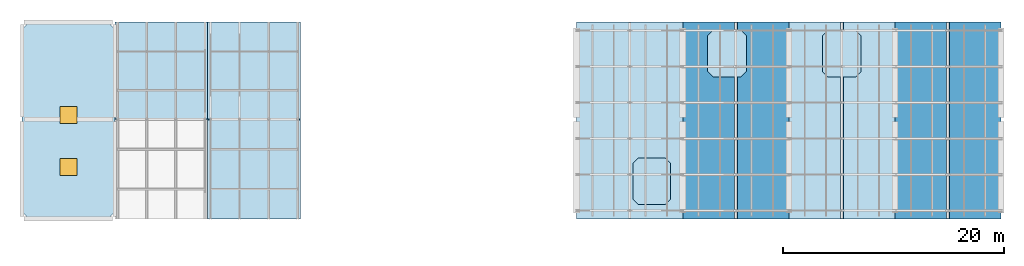
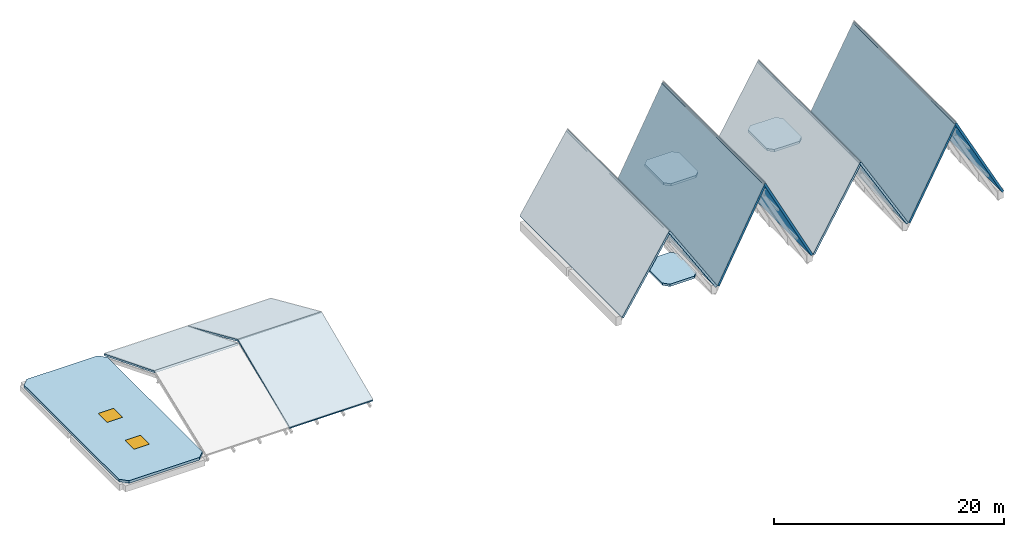
# One storey, part 2 of 3: 15 slabs, 2 windows, 2 openings, 6 elements without a shape of their own.
"""IFC4 building model written with IfcOpenShell, lengths in metres."""

from ifc_helpers import new_model, si_unit, direction, frame, origin, origin_2d, place, context, subcontext, project, spatial, polyline, rectangle, outline, extrude, material, layer, layer_set, type_object, element, fill, aggregate, save


model = new_model("IFC4")

# Units and contexts
model_context = context("Model", 3, precision=1e-05, world=origin(), true_north=direction((0.0, 1.0)))
body_context = subcontext(model_context, "Body", "Model", "MODEL_VIEW")
ifc_project = project(units=[si_unit("LENGTHUNIT", "METRE"), si_unit("AREAUNIT", "SQUARE_METRE"), si_unit("VOLUMEUNIT", "CUBIC_METRE"), si_unit("PLANEANGLEUNIT", "RADIAN"), si_unit("MASSUNIT", "GRAM", prefix="KILO")], contexts=[model_context])

# Site, building, storey
site_placement = place(None, origin())
site = spatial("IfcSite", under=ifc_project, at=site_placement, CompositionType="ELEMENT")
building_placement = place(site_placement, origin())
building = spatial("IfcBuilding", under=site, at=building_placement, Name="Birchvale Park Specialist Clinic", CompositionType="ELEMENT")
storey_placement = place(building_placement, frame((0.0, 0.0, 26.39990234375)))
storey = spatial("IfcBuildingStorey", under=building, at=storey_placement, Name="L06", CompositionType="ELEMENT", Elevation=26.39990234375)

# Roof, slabs
ifc_material_1 = material(Name="Standing-seam titanium-zinc roofing")
roof_type = type_object("IfcRoofType", Name="ROOF-GBL1", PredefinedType="GABLE_ROOF", material=ifc_material_1)
roof_1_placement = place(storey_placement, origin())
roof_1 = element("IfcRoof", 1, at=roof_1_placement, inside=storey, type_object=roof_type, Name="L06 house-shaped gable roof V4-B2", PredefinedType="GABLE_ROOF")
ifc_material_2 = material(Name="Concrete C35/45", Category="concrete")
ifc_layer_1 = layer(ifc_material_2, 0.2099609375)
ifc_layer_set_1 = layer_set([ifc_layer_1], Name="Concrete C35/45")
slab_type_1 = type_object("IfcSlabType", Name="SLB-RS1", PredefinedType="ROOF", material=ifc_layer_set_1)
slab_1_placement = place(storey_placement, frame((61.39990234375, 16.800048828125, 0.0), z_axis=(-0.845484339743, 0.0, 0.534000216525), x_axis=(0.534000216525, 0.0, 0.845484339743)))
slab_1 = element("IfcSlab", 2, at=slab_1_placement, type_object=slab_type_1, Name="L06 gable roof deck V4-B2 W", PredefinedType="ROOF", context=body_context, shape_type="SweptSolid", body=[
    extrude(outline(polyline([(0.0, 0.0), (8.899242207326541, 0.0), (8.899242207326541, 17.800048828125), (0.0, 17.800048828125), (0.0, 0.0)])), origin(), (0.0, 0.0, -1.0), 0.2099609375),
])
slab_2_placement = place(storey_placement, frame((66.248046875, 16.800048828125, 7.524169921875), z_axis=(0.845496725781, 0.0, 0.533980605166), x_axis=(0.533980605166, 0.0, -0.845496725781)))
slab_2 = element("IfcSlab", 3, at=slab_2_placement, type_object=slab_type_1, Name="L06 gable roof deck V4-B2 E", PredefinedType="ROOF", context=body_context, shape_type="SweptSolid", body=[
    extrude(outline(polyline([(0.0, 0.0), (8.899111838573877, 0.0), (8.899111838573877, 17.800048828125004), (0.0, 17.800048828125004), (0.0, 0.0)])), origin(), (0.0, 0.0, -1.0), 0.2099609375),
])
aggregate(roof_1, [slab_1, slab_2])

roof_2_placement = place(storey_placement, origin())
roof_2 = element("IfcRoof", 4, at=roof_2_placement, inside=storey, type_object=roof_type, Name="L06 house-shaped gable roof V4-B3", PredefinedType="GABLE_ROOF")
slab_3_placement = place(storey_placement, frame((71.0, 16.800048828125, 0.0), z_axis=(-0.888623135362, 0.0, 0.458638118018), x_axis=(0.458638118018, 0.0, 0.888623135362)))
slab_3 = element("IfcSlab", 5, at=slab_3_placement, type_object=slab_type_1, Name="L06 gable roof deck V4-B3 W", PredefinedType="ROOF", context=body_context, shape_type="SweptSolid", body=[
    extrude(outline(polyline([(0.0, 0.0), (10.361007814912304, 0.0), (10.361007814912304, 17.800048828125004), (0.0, 17.800048828125004), (0.0, 0.0)])), origin(), (0.0, 0.0, -1.0), 0.2099609375),
])
slab_4_placement = place(storey_placement, frame((75.847900390625, 16.800048828125, 9.20703125), z_axis=(0.888613531854, 0.0, 0.458656724585), x_axis=(0.458656724585, 0.0, -0.888613531854)))
slab_4 = element("IfcSlab", 6, at=slab_4_placement, type_object=slab_type_1, Name="L06 gable roof deck V4-B3 E", PredefinedType="ROOF", context=body_context, shape_type="SweptSolid", body=[
    extrude(outline(polyline([(0.0, 0.0), (10.361119789380409, 0.0), (10.361119789380409, 17.800048828125), (0.0, 17.800048828125), (0.0, 0.0)])), origin(), (0.0, 0.0, -1.0), 0.2099609375),
])
aggregate(roof_2, [slab_3, slab_4])

roof_3_placement = place(storey_placement, origin())
roof_3 = element("IfcRoof", 7, at=roof_3_placement, inside=storey, type_object=roof_type, Name="L06 house-shaped gable roof V4-B4", PredefinedType="GABLE_ROOF")
slab_5_placement = place(storey_placement, frame((80.60009765625, 16.800048828125, 0.0), z_axis=(-0.86302109288, 0.0, 0.505167886197), x_axis=(0.505167886197, 0.0, 0.86302109288)))
slab_5 = element("IfcSlab", 8, at=slab_5_placement, type_object=slab_type_1, Name="L06 gable roof deck V4-B4 W", PredefinedType="ROOF", context=body_context, shape_type="SweptSolid", body=[
    extrude(outline(polyline([(0.0, 0.0), (9.406680936858855, 0.0), (9.406680936858855, 17.800048828125), (0.0, 17.800048828125), (0.0, 0.0)])), origin(), (0.0, 0.0, -1.0), 0.2099609375),
])
slab_6_placement = place(storey_placement, frame((85.447998046875, 16.800048828125, 8.1181640625), z_axis=(0.86302109288, 0.0, 0.505167886197), x_axis=(0.505167886197, 0.0, -0.86302109288)))
slab_6 = element("IfcSlab", 9, at=slab_6_placement, type_object=slab_type_1, Name="L06 gable roof deck V4-B4 E", PredefinedType="ROOF", context=body_context, shape_type="SweptSolid", body=[
    extrude(outline(polyline([(0.0, 0.0), (9.406680936858855, 0.0), (9.406680936858855, 17.800048828125), (0.0, 17.800048828125), (0.0, 0.0)])), origin(), (0.0, 0.0, -1.0), 0.2099609375),
])
aggregate(roof_3, [slab_5, slab_6])

roof_4_placement = place(storey_placement, origin())
roof_4 = element("IfcRoof", 10, at=roof_4_placement, inside=storey, type_object=roof_type, Name="L06 house-shaped gable roof V4-B5", PredefinedType="GABLE_ROOF")
slab_7_placement = place(storey_placement, frame((90.199951171875, 16.800048828125, 0.0), z_axis=(-0.882358295162, 0.0, 0.470578196433), x_axis=(0.470578196433, 0.0, 0.882358295162)))
slab_7 = element("IfcSlab", 11, at=slab_7_placement, type_object=slab_type_1, Name="L06 gable roof deck V4-B5 W", PredefinedType="ROOF", context=body_context, shape_type="SweptSolid", body=[
    extrude(outline(polyline([(0.0, 0.0), (10.0981158094771, 0.0), (10.0981158094771, 17.800048828125), (0.0, 17.800048828125), (0.0, 0.0)])), origin(), (0.0, 0.0, -1.0), 0.2099609375),
])
slab_8_placement = place(storey_placement, frame((95.048095703125, 16.800048828125, 8.91015625), z_axis=(0.882358295162, 0.0, 0.470578196433), x_axis=(0.470578196433, 0.0, -0.882358295162)))
slab_8 = element("IfcSlab", 12, at=slab_8_placement, type_object=slab_type_1, Name="L06 gable roof deck V4-B5 E", PredefinedType="ROOF", context=body_context, shape_type="SweptSolid", body=[
    extrude(outline(polyline([(0.0, 0.0), (10.0981158094771, 0.0), (10.0981158094771, 17.800048828125), (0.0, 17.800048828125), (0.0, 0.0)])), origin(), (0.0, 0.0, -1.0), 0.2099609375),
])
aggregate(roof_4, [slab_7, slab_8])

# Roof, slab
roof_5_placement = place(storey_placement, origin())
roof_5 = element("IfcRoof", 13, at=roof_5_placement, inside=storey, type_object=roof_type, Name="L06 pitched gable roof V2-L06-G1", PredefinedType="GABLE_ROOF")
ifc_layer_2 = layer(ifc_material_2, 0.195068359375)
ifc_layer_set_2 = layer_set([ifc_layer_2], Name="Concrete C35/45")
slab_type_2 = type_object("IfcSlabType", Name="SLB-RS2", PredefinedType="ROOF", material=ifc_layer_set_2)
slab_9_placement = place(storey_placement, frame((19.60009765625, 25.847900390625, 3.48095703125), z_axis=(0.0, 0.369566625915, 0.929204234283), x_axis=(1.0, 0.0, 0.0)))
slab_9 = element("IfcSlab", 14, at=slab_9_placement, type_object=slab_type_2, Name="L06 gable roof deck V2-L06-G1 N", PredefinedType="ROOF", context=body_context, shape_type="SweptSolid", body=[
    extrude(outline(polyline([(0.0, 0.0), (8.39990234375, 0.0), (8.39990234375, 9.41902430349463), (0.0, 9.41902430349463), (0.0, 0.0)])), origin(), (0.0, 0.0, -1.0), 0.195068359375),
])
aggregate(roof_5, [slab_9])

# Roof, slabs
roof_6_placement = place(storey_placement, origin())
roof_6 = element("IfcRoof", 15, at=roof_6_placement, inside=storey, type_object=roof_type, Name="L06 pitched gable roof V2-L06-G2", PredefinedType="GABLE_ROOF")
slab_10_placement = place(storey_placement, frame((28.0, 16.800048828125, 0.0), z_axis=(0.0, -0.397627803004, 0.917546800048), x_axis=(1.0, 0.0, 0.0)))
slab_10 = element("IfcSlab", 16, at=slab_10_placement, type_object=slab_type_2, Name="L06 gable roof deck V2-L06-G2 S", PredefinedType="ROOF", context=body_context, shape_type="SweptSolid", body=[
    extrude(outline(polyline([(0.0, 0.0), (8.39990234375, 0.0), (8.39990234375, 9.75634626637972), (0.0, 9.75634626637972), (0.0, 0.0)])), origin(), (0.0, 0.0, -1.0), 0.195068359375),
])
slab_11_placement = place(storey_placement, frame((28.0, 25.847900390625, 3.87890625), z_axis=(0.0, 0.4051822978, 0.914235913509), x_axis=(1.0, 0.0, 0.0)))
slab_11 = element("IfcSlab", 17, at=slab_11_placement, type_object=slab_type_2, Name="L06 gable roof deck V2-L06-G2 N", PredefinedType="ROOF", context=body_context, shape_type="SweptSolid", body=[
    extrude(outline(polyline([(0.0, 0.0), (8.39990234375, 0.0), (8.39990234375, 9.573237209674833), (0.0, 9.573237209674833), (0.0, 0.0)])), origin(), (0.0, 0.0, -1.0), 0.195068359375),
])
aggregate(roof_6, [slab_10, slab_11])

# Slab, openings, windows
ifc_layer_3 = layer(ifc_material_2, 0.27490234375)
ifc_layer_set_3 = layer_set([ifc_layer_3], Name="Concrete C35/45")
slab_type_3 = type_object("IfcSlabType", Name="SLB-RS4", PredefinedType="ROOF", material=ifc_layer_set_3)
slab_12_placement = place(storey_placement, frame((0.0, 0.0, -0.27490234375)))
slab_12 = element("IfcSlab", 18, at=slab_12_placement, inside=storey, type_object=slab_type_3, Name="V2 L06 flat roof slab SLB-V2-L06-SKL", PredefinedType="ROOF", context=body_context, shape_type="SweptSolid", body=[
    extrude(outline(polyline([(11.85009765625, 16.800048828125), (18.949951171875, 16.800048828125), (19.60009765625, 17.449951171875), (19.60009765625, 33.949951171875), (18.949951171875, 34.60009765625), (11.85009765625, 34.60009765625), (11.199951171875, 33.949951171875), (11.199951171875, 17.449951171875), (11.85009765625, 16.800048828125)])), origin(), (0.0, 0.0, 1.0), 0.27490234375),
])
opening_1_placement = place(slab_12_placement, frame((15.39990234375, 21.5, 0.0)))
opening_1 = element("IfcOpeningElement", 19, at=opening_1_placement, cuts=slab_12, Name="Opening SK-03", PredefinedType="OPENING", context=body_context, shape_type="SweptSolid", body=[
    extrude(rectangle(XDim=1.550048828125, YDim=1.550048828125, at=origin_2d()), frame((0.0, 0.0, -0.010009765625)), (0.0, 0.0, 1.0), 0.294921875),
])
opening_2_placement = place(slab_12_placement, frame((15.39990234375, 26.199951171875, 0.0)))
opening_2 = element("IfcOpeningElement", 20, at=opening_2_placement, cuts=slab_12, Name="Opening SK-03", PredefinedType="OPENING", context=body_context, shape_type="SweptSolid", body=[
    extrude(rectangle(XDim=1.550048828125, YDim=1.550048828125, at=origin_2d()), frame((0.0, 0.0, -0.010009765625)), (0.0, 0.0, 1.0), 0.294921875),
])
ifc_material_3 = material(Name="Solar-control low-E double glazing", Category="glass")
window_type = type_object("IfcWindowType", Name="WIN-SK-03", PartitioningType="SINGLE_PANEL", PredefinedType="SKYLIGHT", material=ifc_material_3)
window_1_placement = place(opening_1_placement, frame((0.0, 0.0, 0.224853515625)))
window_1 = element("IfcWindow", 21, at=window_1_placement, inside=storey, type_object=window_type, Name="L06 roof daylight skylight 4", OverallHeight=1.550048828125, OverallWidth=1.550048828125, PartitioningType="SINGLE_PANEL", PredefinedType="SKYLIGHT", context=body_context, shape_type="SweptSolid", body=[
    extrude(rectangle(XDim=1.550048828125, YDim=1.550048828125, at=origin_2d()), origin(), (0.0, 0.0, 1.0), 0.050048828125),
])
fill(opening_1, window_1)
window_2_placement = place(opening_2_placement, frame((0.0, 0.0, 0.224853515625)))
window_2 = element("IfcWindow", 22, at=window_2_placement, inside=storey, type_object=window_type, Name="L06 roof daylight skylight 5", OverallHeight=1.550048828125, OverallWidth=1.550048828125, PartitioningType="SINGLE_PANEL", PredefinedType="SKYLIGHT", context=body_context, shape_type="SweptSolid", body=[
    extrude(rectangle(XDim=1.550048828125, YDim=1.550048828125, at=origin_2d()), origin(), (0.0, 0.0, 1.0), 0.050048828125),
])
fill(opening_2, window_2)

# Slabs
ifc_layer_4 = layer(ifc_material_2, 0.25)
ifc_layer_set_4 = layer_set([ifc_layer_4], Name="Concrete C35/45")
slab_type_4 = type_object("IfcSlabType", Name="SLB-RS5", PredefinedType="ROOF", material=ifc_layer_set_4)
slab_13_placement = place(storey_placement, frame((0.0, 0.0, 1.85009765625)))
element("IfcSlab", 23, at=slab_13_placement, inside=storey, type_object=slab_type_4, Name="V4 L06 lift LF1 overrun cap roof", PredefinedType="ROOF", context=body_context, shape_type="SweptSolid", body=[
    extrude(outline(polyline([(73.72998046875, 29.64990234375), (76.27001953125, 29.64990234375), (76.75, 30.1298828125), (76.75, 33.3701171875), (76.27001953125, 33.85009765625), (73.72998046875, 33.85009765625), (73.25, 33.3701171875), (73.25, 30.1298828125), (73.72998046875, 29.64990234375)])), origin(), (0.0, 0.0, 1.0), 0.25),
])
slab_14_placement = place(storey_placement, frame((0.0, 0.0, 1.85009765625)))
element("IfcSlab", 24, at=slab_14_placement, inside=storey, type_object=slab_type_4, Name="V4 L06 lift LF2 overrun cap roof", PredefinedType="ROOF", context=body_context, shape_type="SweptSolid", body=[
    extrude(outline(polyline([(84.1298828125, 29.64990234375), (86.669921875, 29.64990234375), (87.14990234375, 30.1298828125), (87.14990234375, 33.3701171875), (86.669921875, 33.85009765625), (84.1298828125, 33.85009765625), (83.64990234375, 33.3701171875), (83.64990234375, 30.1298828125), (84.1298828125, 29.64990234375)])), origin(), (0.0, 0.0, 1.0), 0.25),
])
slab_15_placement = place(storey_placement, frame((0.0, 0.0, 0.550048828125)))
element("IfcSlab", 25, at=slab_15_placement, inside=storey, type_object=slab_type_4, Name="V4 L06 lift LP1 overrun cap roof", PredefinedType="ROOF", context=body_context, shape_type="SweptSolid", body=[
    extrude(outline(polyline([(66.97998046875, 18.10009765625), (69.419921875, 18.10009765625), (69.89990234375, 18.580078125), (69.89990234375, 21.820068359375), (69.419921875, 22.300048828125), (66.97998046875, 22.300048828125), (66.5, 21.820068359375), (66.5, 18.580078125), (66.97998046875, 18.10009765625)])), origin(), (0.0, 0.0, 1.0), 0.25),
])

save(model, "model.ifc")
